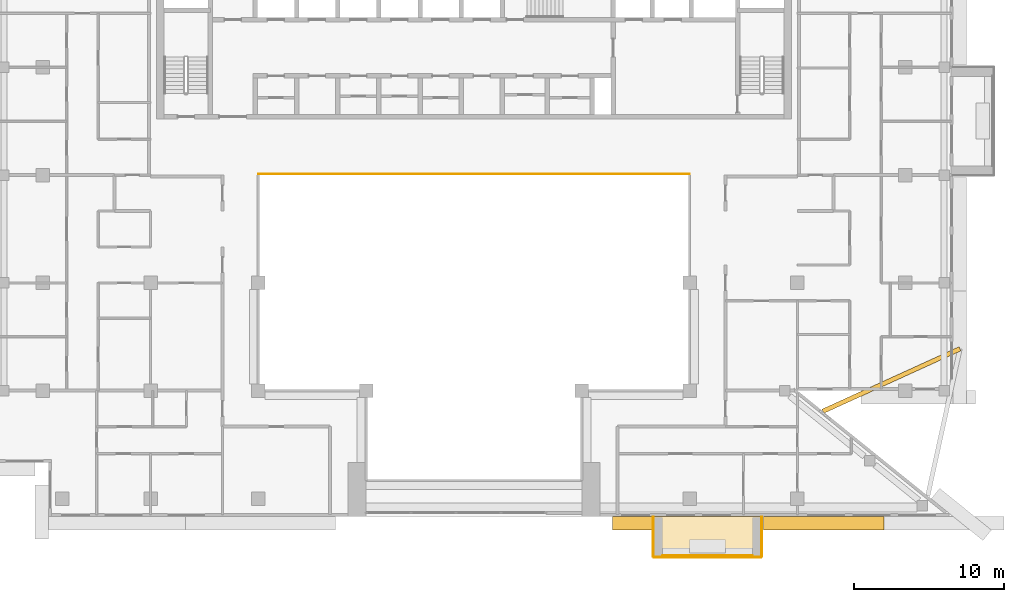
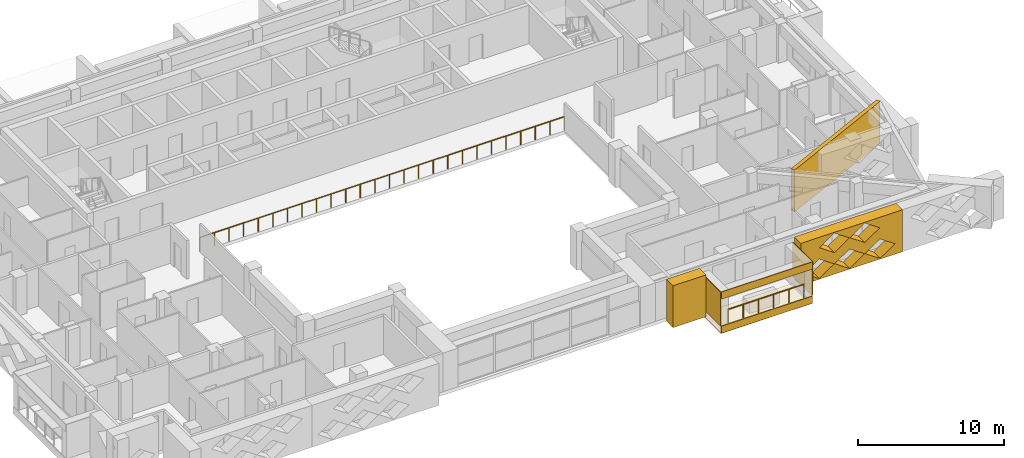
# One storey, part 15 of 19: 8 coverings, 2 railings.
"""IFC4 building model written with IfcOpenShell, lengths in metres."""

from ifc_helpers import new_model, si_unit, direction, frame, origin, origin_2d, place, context, subcontext, project, spatial, polyline, circle, outline, extrude, material, layer, layer_set, type_object, element, save


model = new_model("IFC4")

# Units and contexts
model_context = context("Model", 3, precision=1e-05, world=origin(), true_north=direction((0.0, 1.0)))
body_context = subcontext(model_context, "Body", "Model", "MODEL_VIEW")
ifc_project = project(units=[si_unit("LENGTHUNIT", "METRE"), si_unit("AREAUNIT", "SQUARE_METRE"), si_unit("VOLUMEUNIT", "CUBIC_METRE"), si_unit("PLANEANGLEUNIT", "RADIAN"), si_unit("MASSUNIT", "GRAM", prefix="KILO")], contexts=[model_context])

# Site, building, storey
site_placement = place(None, origin())
site = spatial("IfcSite", under=ifc_project, at=site_placement, CompositionType="ELEMENT")
building_placement = place(site_placement, origin())
building = spatial("IfcBuilding", under=site, at=building_placement, Name="Saffron Iwan Residences", CompositionType="ELEMENT")
storey_placement = place(building_placement, frame((0.0, 0.0, 229.0)))
storey = spatial("IfcBuildingStorey", under=building, at=storey_placement, Name="L61", CompositionType="ELEMENT", Elevation=229.0)

# Railings
ifc_material_1 = material(Name="Stainless steel 316", Category="steel")
railing_type_1 = type_object("IfcRailingType", Name="Atrium guard 1150", PredefinedType="GUARDRAIL", material=ifc_material_1)
railing_1_placement = place(storey_placement, frame((36.0, 62.47509765625, 0.0)))
element("IfcRailing", 1, at=railing_1_placement, inside=storey, type_object=railing_type_1, Name="Atrium guard L61", PredefinedType="GUARDRAIL", context=body_context, shape_type="SweptSolid", body=[
    extrude(circle(Radius=0.02392578125, at=origin_2d()), frame((0.0, 0.0, 1.1259765625), z_axis=(1.0, 0.0, 0.0), x_axis=(0.0, 1.0, 0.0)), (0.0, 0.0, 1.0), 28.800048828125),
    extrude(circle(Radius=0.02099609375, at=origin_2d()), origin(), (0.0, 0.0, 1.0), 1.101806640625),
    extrude(circle(Radius=0.02099609375, at=origin_2d()), frame((1.152099609375, 0.0, 0.0)), (0.0, 0.0, 1.0), 1.101806640625),
    extrude(circle(Radius=0.02099609375, at=origin_2d()), frame((2.303955078125, 0.0, 0.0)), (0.0, 0.0, 1.0), 1.101806640625),
    extrude(circle(Radius=0.02099609375, at=origin_2d()), frame((3.4560546875, 0.0, 0.0)), (0.0, 0.0, 1.0), 1.101806640625),
    extrude(circle(Radius=0.02099609375, at=origin_2d()), frame((4.60791015625, 0.0, 0.0)), (0.0, 0.0, 1.0), 1.101806640625),
    extrude(circle(Radius=0.02099609375, at=origin_2d()), frame((5.760009765625, 0.0, 0.0)), (0.0, 0.0, 1.0), 1.101806640625),
    extrude(circle(Radius=0.02099609375, at=origin_2d()), frame((6.912109375, 0.0, 0.0)), (0.0, 0.0, 1.0), 1.101806640625),
    extrude(circle(Radius=0.02099609375, at=origin_2d()), frame((8.06396484375, 0.0, 0.0)), (0.0, 0.0, 1.0), 1.101806640625),
    extrude(circle(Radius=0.02099609375, at=origin_2d()), frame((9.216064453125, 0.0, 0.0)), (0.0, 0.0, 1.0), 1.101806640625),
    extrude(circle(Radius=0.02099609375, at=origin_2d()), frame((10.367919921875, 0.0, 0.0)), (0.0, 0.0, 1.0), 1.101806640625),
    extrude(circle(Radius=0.02099609375, at=origin_2d()), frame((11.52001953125, 0.0, 0.0)), (0.0, 0.0, 1.0), 1.101806640625),
    extrude(circle(Radius=0.02099609375, at=origin_2d()), frame((12.672119140625, 0.0, 0.0)), (0.0, 0.0, 1.0), 1.101806640625),
    extrude(circle(Radius=0.02099609375, at=origin_2d()), frame((13.823974609375, 0.0, 0.0)), (0.0, 0.0, 1.0), 1.101806640625),
    extrude(circle(Radius=0.02099609375, at=origin_2d()), frame((14.97607421875, 0.0, 0.0)), (0.0, 0.0, 1.0), 1.101806640625),
    extrude(circle(Radius=0.02099609375, at=origin_2d()), frame((16.1279296875, 0.0, 0.0)), (0.0, 0.0, 1.0), 1.101806640625),
    extrude(circle(Radius=0.02099609375, at=origin_2d()), frame((17.280029296875, 0.0, 0.0)), (0.0, 0.0, 1.0), 1.101806640625),
    extrude(circle(Radius=0.02099609375, at=origin_2d()), frame((18.43212890625, 0.0, 0.0)), (0.0, 0.0, 1.0), 1.101806640625),
    extrude(circle(Radius=0.02099609375, at=origin_2d()), frame((19.583984375, 0.0, 0.0)), (0.0, 0.0, 1.0), 1.101806640625),
    extrude(circle(Radius=0.02099609375, at=origin_2d()), frame((20.736083984375, 0.0, 0.0)), (0.0, 0.0, 1.0), 1.101806640625),
    extrude(circle(Radius=0.02099609375, at=origin_2d()), frame((21.887939453125, 0.0, 0.0)), (0.0, 0.0, 1.0), 1.101806640625),
    extrude(circle(Radius=0.02099609375, at=origin_2d()), frame((23.0400390625, 0.0, 0.0)), (0.0, 0.0, 1.0), 1.101806640625),
    extrude(circle(Radius=0.02099609375, at=origin_2d()), frame((24.192138671875, 0.0, 0.0)), (0.0, 0.0, 1.0), 1.101806640625),
    extrude(circle(Radius=0.02099609375, at=origin_2d()), frame((25.343994140625, 0.0, 0.0)), (0.0, 0.0, 1.0), 1.101806640625),
    extrude(circle(Radius=0.02099609375, at=origin_2d()), frame((26.49609375, 0.0, 0.0)), (0.0, 0.0, 1.0), 1.101806640625),
    extrude(circle(Radius=0.02099609375, at=origin_2d()), frame((27.64794921875, 0.0, 0.0)), (0.0, 0.0, 1.0), 1.101806640625),
    extrude(circle(Radius=0.02099609375, at=origin_2d()), frame((28.800048828125, 0.0, 0.0)), (0.0, 0.0, 1.0), 1.101806640625),
])
railing_type_2 = type_object("IfcRailingType", Name="BALCONY GUARD 1150", PredefinedType="GUARDRAIL", material=ifc_material_1)
railing_2_placement = place(storey_placement, frame((63.0, 36.97509765625, 0.0)))
element("IfcRailing", 2, at=railing_2_placement, inside=storey, type_object=railing_type_2, Name="Balcony guard L61 11-1", PredefinedType="GUARDRAIL", context=body_context, shape_type="SweptSolid", body=[
    extrude(circle(Radius=0.02392578125, at=origin_2d()), frame((0.0, 0.0, 1.1259765625), z_axis=(1.0, 0.0, 0.0), x_axis=(0.0, 1.0, 0.0)), (0.0, 0.0, 1.0), 6.0),
    extrude(circle(Radius=0.02099609375, at=origin_2d()), origin(), (0.0, 0.0, 1.0), 1.101806640625),
    extrude(circle(Radius=0.02099609375, at=origin_2d()), frame((1.199951171875, 0.0, 0.0)), (0.0, 0.0, 1.0), 1.101806640625),
    extrude(circle(Radius=0.02099609375, at=origin_2d()), frame((2.39990234375, 0.0, 0.0)), (0.0, 0.0, 1.0), 1.101806640625),
    extrude(circle(Radius=0.02099609375, at=origin_2d()), frame((3.60009765625, 0.0, 0.0)), (0.0, 0.0, 1.0), 1.101806640625),
    extrude(circle(Radius=0.02099609375, at=origin_2d()), frame((4.800048828125, 0.0, 0.0)), (0.0, 0.0, 1.0), 1.101806640625),
    extrude(circle(Radius=0.02099609375, at=origin_2d()), frame((6.0, 0.0, 0.0)), (0.0, 0.0, 1.0), 1.101806640625),
])

# Coverings
ifc_material_2 = material(Name="Precast concrete C40/50 white painted", Category="concrete")
ifc_layer_1 = layer(ifc_material_2, 0.050048828125)
ifc_layer_set_1 = layer_set([ifc_layer_1], Name="Precast concrete C40/50 white painted")
covering_type_1 = type_object("IfcCoveringType", Name="FRAME SKIN PRECAST WHITE 50", PredefinedType="CLADDING", material=ifc_layer_set_1)
for number, where, name in (
    (3, (0.0, 0.0, -0.60009765625), "Frame skin slab edge L61 11-1"),
    (4, (0.0, 0.0, 2.25), "Frame skin fascia L61 11-1"),
):
    element("IfcCovering", number, at=place(storey_placement, frame(where)), inside=storey, type_object=covering_type_1, Name=name, PredefinedType="CLADDING", context=body_context, shape_type="SweptSolid", body=[
        extrude(outline(polyline([(62.39990234375, 36.85009765625), (69.60009765625, 36.85009765625), (69.60009765625, 36.89990234375), (62.39990234375, 36.89990234375), (62.39990234375, 36.85009765625)])), origin(), (0.0, 0.0, 1.0), 0.60009765625),
    ])
covering_1_placement = place(storey_placement, frame((0.0, 0.0, -0.64990234375)))
element("IfcCovering", 5, at=covering_1_placement, inside=storey, type_object=covering_type_1, Name="Frame skin soffit L61 11-1", PredefinedType="CLADDING", context=body_context, shape_type="SweptSolid", body=[
    extrude(outline(polyline([(62.39990234375, 36.89990234375), (69.60009765625, 36.89990234375), (69.60009765625, 39.60009765625), (62.39990234375, 39.60009765625), (62.39990234375, 36.89990234375)])), origin(), (0.0, 0.0, 1.0), 0.0498046875),
])
covering_2_placement = place(storey_placement, origin())
element("IfcCovering", 6, at=covering_2_placement, inside=storey, type_object=covering_type_1, Name="Frame skin fin L61 11-1a", PredefinedType="CLADDING", context=body_context, shape_type="SweptSolid", body=[
    extrude(outline(polyline([(62.35009765625, 36.89990234375), (62.39990234375, 36.89990234375), (62.39990234375, 39.60009765625), (62.35009765625, 39.60009765625), (62.35009765625, 36.89990234375)])), origin(), (0.0, 0.0, 1.0), 2.85009765625),
])
covering_3_placement = place(storey_placement, origin())
element("IfcCovering", 7, at=covering_3_placement, inside=storey, type_object=covering_type_1, Name="Frame skin fin L61 11-1b", PredefinedType="CLADDING", context=body_context, shape_type="SweptSolid", body=[
    extrude(outline(polyline([(69.60009765625, 36.89990234375), (69.64990234375, 36.89990234375), (69.64990234375, 39.60009765625), (69.60009765625, 39.60009765625), (69.60009765625, 36.89990234375)])), origin(), (0.0, 0.0, 1.0), 2.85009765625),
])
ifc_material_3 = material(Name="Precast concrete C40/50", Category="concrete")
covering_type_2 = type_object("IfcCoveringType", Name="OUTER SKIN LATTICE SCREEN", PredefinedType="CLADDING", material=ifc_material_3)
covering_4_placement = place(storey_placement, frame((59.64990234375, 39.60009765625, -0.280029296875), z_axis=(0.0, -1.0, 0.0), x_axis=(1.0, 0.0, 0.0)))
element("IfcCovering", 8, at=covering_4_placement, inside=storey, type_object=covering_type_2, Name="OUTER SKIN lattice screen L61 F11.2", PredefinedType="CLADDING", context=body_context, shape_type="SweptSolid", body=[
    extrude(outline(polyline([(0.0, 0.0), (2.60009765625, 0.0), (2.60009765625, 3.5), (0.0, 3.5), (0.0, 0.0)])), origin(), (0.0, 0.0, 1.0), 0.900146484375),
])
covering_5_placement = place(storey_placement, frame((69.75, 39.60009765625, -0.280029296875), z_axis=(0.0, -1.0, 0.0), x_axis=(1.0, 0.0, 0.0)))
element("IfcCovering", 9, at=covering_5_placement, inside=storey, type_object=covering_type_2, Name="OUTER SKIN lattice screen L61 F11.3", PredefinedType="CLADDING", context=body_context, shape_type="SweptSolid", body=[
    extrude(outline(polyline([(0.0, 0.0), (8.022705078125, 0.0), (8.022705078125, 3.5), (0.0, 3.5), (0.0, 0.0)]), holes=[polyline([(0.27001953125, 0.875), (1.449951171875, 0.06005859375), (2.6298828125, 0.875), (1.449951171875, 1.68994140625), (0.27001953125, 0.875)]), polyline([(2.669921875, 0.875), (3.85009765625, 0.06005859375), (5.030029296875, 0.875), (3.85009765625, 1.68994140625), (2.669921875, 0.875)]), polyline([(5.070068359375, 0.875), (6.25, 0.06005859375), (7.429931640625, 0.875), (6.25, 1.68994140625), (5.070068359375, 0.875)]), polyline([(1.469970703125, 2.625), (2.64990234375, 1.81005859375), (3.830078125, 2.625), (2.64990234375, 3.43994140625), (1.469970703125, 2.625)]), polyline([(3.8701171875, 2.625), (5.050048828125, 1.81005859375), (6.22998046875, 2.625), (5.050048828125, 3.43994140625), (3.8701171875, 2.625)])]), origin(), (0.0, 0.0, 1.0), 0.900146484375),
])
ifc_layer_2 = layer(ifc_material_2, 0.300048828125)
ifc_layer_set_2 = layer_set([ifc_layer_2], Name="Precast concrete C40/50 white painted")
covering_type_3 = type_object("IfcCoveringType", Name="PROW NOSE BLADE PRECAST WHITE", PredefinedType="CLADDING", material=ifc_layer_set_2)
covering_6_placement = place(storey_placement, frame((0.0, 0.0, -0.280029296875)))
element("IfcCovering", 10, at=covering_6_placement, inside=storey, type_object=covering_type_3, Name="Prow nose blade L61 b", PredefinedType="CLADDING", context=body_context, shape_type="SweptSolid", body=[
    extrude(outline(polyline([(73.761474609375, 46.490966796875), (82.917236328125, 50.6650390625), (82.792724609375, 50.93798828125), (73.636962890625, 46.763916015625), (73.761474609375, 46.490966796875)])), origin(), (0.0, 0.0, 1.0), 3.5),
])

save(model, "model.ifc")
